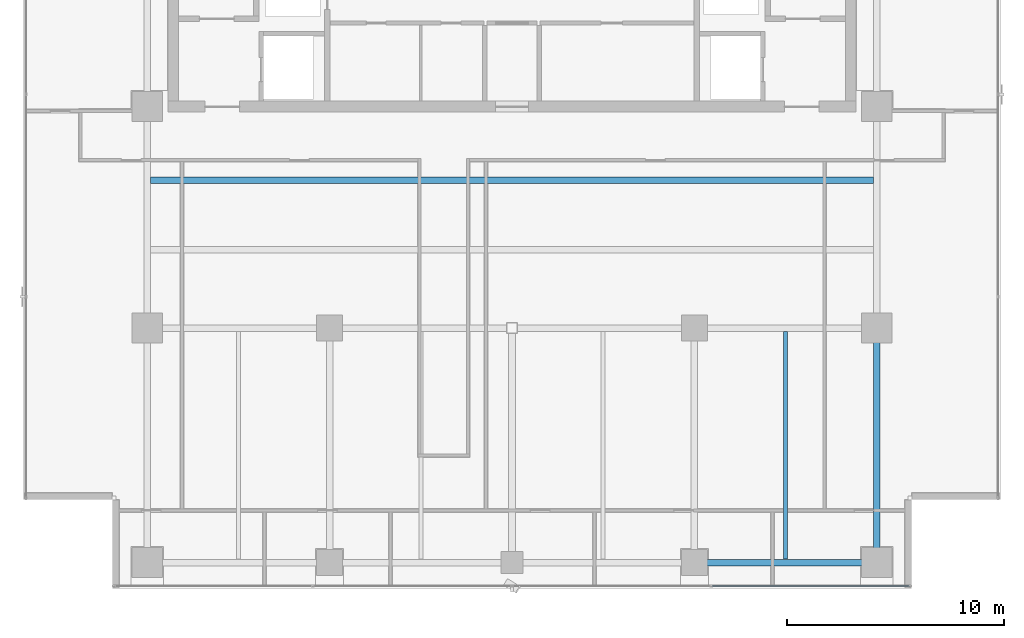
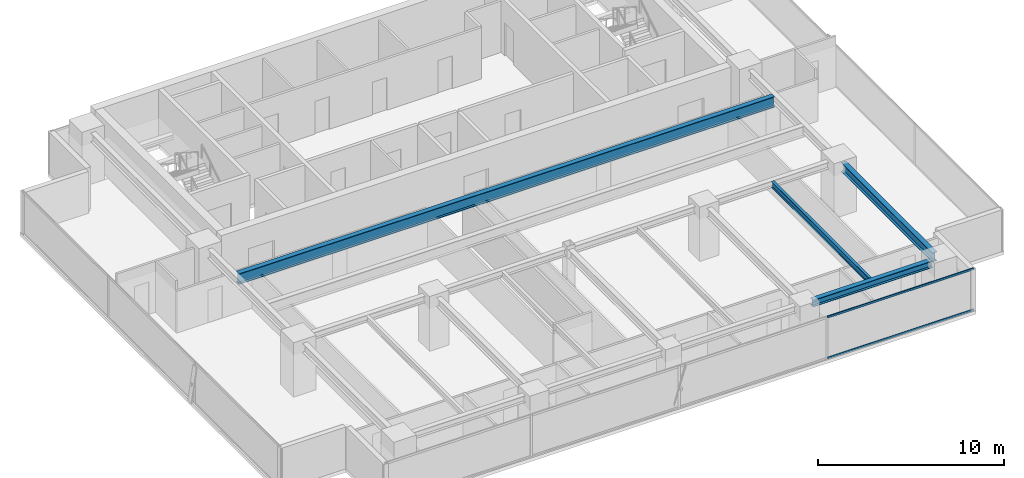
# One storey, part 10 of 25: 4 beams, 2 members, 1 element without a shape of its own.
"""IFC4 building model written with IfcOpenShell, lengths in metres."""

from ifc_helpers import new_model, si_unit, direction, frame, origin, origin_2d, place, context, subcontext, project, spatial, hollow_rectangle, i_section, extrude, source, transform, mapped, material, layer, layer_set, material_profile, profile_set, type_object, element, aggregate, save


model = new_model("IFC4")

# Units and contexts
model_context = context("Model", 3, precision=1e-05, world=origin(), true_north=direction((0.0, 1.0)))
body_context = subcontext(model_context, "Body", "Model", "MODEL_VIEW")
ifc_project = project(units=[si_unit("LENGTHUNIT", "METRE"), si_unit("AREAUNIT", "SQUARE_METRE"), si_unit("VOLUMEUNIT", "CUBIC_METRE"), si_unit("PLANEANGLEUNIT", "RADIAN"), si_unit("MASSUNIT", "GRAM", prefix="KILO")], contexts=[model_context])

# Site, building, storey
site_placement = place(None, origin())
site = spatial("IfcSite", under=ifc_project, at=site_placement, CompositionType="ELEMENT")
building_placement = place(site_placement, origin())
building = spatial("IfcBuilding", under=site, at=building_placement, Name="Sumidabori Civic Tower", CompositionType="ELEMENT")
storey_placement = place(building_placement, frame((0.0, 0.0, 232.39990234375)))
storey = spatial("IfcBuildingStorey", under=building, at=storey_placement, Name="L60", CompositionType="ELEMENT", Elevation=232.39990234375)

# Beams
ifc_material_1 = material(Name="Steel SN490", Category="steel")
ifc_material_profile_1 = material_profile(ifc_material_1, i_section(OverallWidth=0.300048828125, OverallDepth=0.60009765625, WebThickness=0.015380859375, FlangeThickness=0.030029296875, at=origin_2d()), Name="HE 600 B")
ifc_profile_set_1 = profile_set([ifc_material_profile_1], Name="Steel SN490")
beam_type_1 = type_object("IfcBeamType", Name="BM-GIRD-600", PredefinedType="BEAM", material=ifc_profile_set_1)
shared_shape_1 = source(origin(), body_context, "Body", "SweptSolid", [
    extrude(i_section(OverallWidth=0.300048828125, OverallDepth=0.60009765625, WebThickness=0.015380859375, FlangeThickness=0.030029296875, at=origin_2d()), origin(), (0.0, 0.0, 1.0), 9.840087890625),
])
beam_1_placement = place(storey_placement, frame((16.800048828125, -10.320068359375, 3.070068359375), z_axis=(0.0, 1.0, 0.0), x_axis=(-1.0, 0.0, 0.0)))
element("IfcBeam", 1, at=beam_1_placement, inside=storey, type_object=beam_type_1, Name="Primary Girder L60 GY-15", PredefinedType="BEAM", context=body_context, shape_type="MappedRepresentation", body=[
    mapped(shared_shape_1, transform((0.0, 0.0, 0.0), x_axis=(1.0, 0.0, 0.0), y_axis=(0.0, 1.0, 0.0), z_axis=(0.0, 0.0, 1.0), scale=1.0)),
])
ifc_material_profile_2 = material_profile(ifc_material_1, i_section(OverallWidth=0.300048828125, OverallDepth=0.699951171875, WebThickness=0.01708984375, FlangeThickness=0.031982421875, at=origin_2d()), Name="HE 700 B")
ifc_profile_set_2 = profile_set([ifc_material_profile_2], Name="Steel SN490")
beam_type_2 = type_object("IfcBeamType", Name="BM-GIRD-700", PredefinedType="BEAM", material=ifc_profile_set_2)
shared_shape_2 = source(origin(), body_context, "Body", "SweptSolid", [
    extrude(i_section(OverallWidth=0.300048828125, OverallDepth=0.699951171875, WebThickness=0.01708984375, FlangeThickness=0.031982421875, at=origin_2d()), origin(), (0.0, 0.0, 1.0), 33.2998046875),
])
beam_2_placement = place(storey_placement, frame((-16.64990234375, 6.800048828125, 3.02001953125), z_axis=(1.0, 0.0, 0.0), x_axis=(0.0, 1.0, 0.0)))
element("IfcBeam", 2, at=beam_2_placement, inside=storey, type_object=beam_type_2, Name="North Bay Floor Beam L60 JSTN-19", PredefinedType="BEAM", context=body_context, shape_type="MappedRepresentation", body=[
    mapped(shared_shape_2, transform((0.0, 0.0, 0.0), x_axis=(1.0, 0.0, 0.0), y_axis=(0.0, 1.0, 0.0), z_axis=(0.0, 0.0, 1.0), scale=1.0)),
])
ifc_material_profile_3 = material_profile(ifc_material_1, i_section(OverallWidth=0.300048828125, OverallDepth=0.449951171875, WebThickness=0.013916015625, FlangeThickness=0.02587890625, at=origin_2d()), Name="HE 450 B")
ifc_profile_set_3 = profile_set([ifc_material_profile_3], Name="Steel SN490")
beam_type_3 = type_object("IfcBeamType", Name="BM-GIRD-450", PredefinedType="BEAM", material=ifc_profile_set_3)
shared_shape_3 = source(origin(), body_context, "Body", "SweptSolid", [
    extrude(i_section(OverallWidth=0.300048828125, OverallDepth=0.449951171875, WebThickness=0.013916015625, FlangeThickness=0.02587890625, at=origin_2d()), origin(), (0.0, 0.0, 1.0), 7.440185546875),
])
beam_3_placement = place(storey_placement, frame((8.8798828125, -10.800048828125, 3.14501953125), z_axis=(1.0, 0.0, 0.0), x_axis=(0.0, 1.0, 0.0)))
element("IfcBeam", 3, at=beam_3_placement, inside=storey, type_object=beam_type_3, Name="Primary Girder L60 GX-04", PredefinedType="BEAM", context=body_context, shape_type="MappedRepresentation", body=[
    mapped(shared_shape_3, transform((0.0, 0.0, 0.0), x_axis=(1.0, 0.0, 0.0), y_axis=(0.0, 1.0, 0.0), z_axis=(0.0, 0.0, 1.0), scale=1.0)),
])
ifc_material_profile_4 = material_profile(ifc_material_1, i_section(OverallWidth=0.179931640625, OverallDepth=0.39990234375, WebThickness=0.008544921875, FlangeThickness=0.013427734375, at=origin_2d()), Name="IPE 400")
ifc_profile_set_4 = profile_set([ifc_material_profile_4], Name="Steel SN490")
beam_type_4 = type_object("IfcBeamType", Name="BM-JST-400", PredefinedType="JOIST", material=ifc_profile_set_4)
shared_shape_4 = source(origin(), body_context, "Body", "SweptSolid", [
    extrude(i_section(OverallWidth=0.179931640625, OverallDepth=0.39990234375, WebThickness=0.008544921875, FlangeThickness=0.013427734375, at=origin_2d()), origin(), (0.0, 0.0, 1.0), 10.5),
])
beam_4_placement = place(storey_placement, frame((12.60009765625, -10.64990234375, 3.170166015625), z_axis=(0.0, 1.0, 0.0), x_axis=(-1.0, 0.0, 0.0)))
element("IfcBeam", 4, at=beam_4_placement, inside=storey, type_object=beam_type_4, Name="Upper Lens N-S Floor Joist L60 JSTV-23", PredefinedType="JOIST", context=body_context, shape_type="MappedRepresentation", body=[
    mapped(shared_shape_4, transform((0.0, 0.0, 0.0), x_axis=(1.0, 0.0, 0.0), y_axis=(0.0, 1.0, 0.0), z_axis=(0.0, 0.0, 1.0), scale=1.0)),
])

# Curtain wall, members
ifc_material_2 = material(Name="Anodised Bronze Aluminium AW-6063-T6", Category="aluminium")
ifc_layer = layer(ifc_material_2, 0.179931640625, Name="Anodised Bronze Aluminium AW-6063-T6")
ifc_layer_set = layer_set([ifc_layer], Name="Anodised Bronze Aluminium AW-6063-T6")
curtain_wall_type = type_object("IfcCurtainWallType", Name="CW-SYS-5", PredefinedType="NOTDEFINED", material=ifc_layer_set)
curtain_wall_placement = place(storey_placement, origin())
curtain_wall = element("IfcCurtainWall", 5, at=curtain_wall_placement, inside=storey, type_object=curtain_wall_type, Name="Curtain Wall CW:L60:R01", PredefinedType="NOTDEFINED")
ifc_material_profile_5 = material_profile(ifc_material_2, hollow_rectangle(XDim=0.06005859375, YDim=0.1298828125, WallThickness=0.0048828125, at=origin_2d()), Name="ALU TRANSOM 130x60")
ifc_profile_set_5 = profile_set([ifc_material_profile_5], Name="Anodised Bronze Aluminium AW-6063-T6")
member_type = type_object("IfcMemberType", Name="CW-TRN-130", PredefinedType="USERDEFINED", material=ifc_profile_set_5)
shared_shape_5 = source(origin(), body_context, "Body", "SweptSolid", [
    extrude(hollow_rectangle(XDim=0.06005859375, YDim=0.1298828125, WallThickness=0.0048828125, at=origin_2d()), origin(), (0.0, 0.0, 1.0), 9.094970703125),
])
member_1_placement = place(storey_placement, frame((9.215087890625, -11.8798828125, 0.030029296875), z_axis=(1.0, 0.0, 0.0), x_axis=(0.0, 1.0, 0.0)))
member_1 = element("IfcMember", 6, at=member_1_placement, type_object=member_type, Name="CW-5 transom 4.1", ObjectType="TRANSOM", PredefinedType="USERDEFINED", context=body_context, shape_type="MappedRepresentation", body=[
    mapped(shared_shape_5, transform((0.0, 0.0, 0.0), x_axis=(1.0, 0.0, 0.0), y_axis=(0.0, 1.0, 0.0), z_axis=(0.0, 0.0, 1.0), scale=1.0)),
])
member_2_placement = place(storey_placement, frame((9.215087890625, -11.8798828125, 2.72021484375), z_axis=(1.0, 0.0, 0.0), x_axis=(0.0, 1.0, 0.0)))
member_2 = element("IfcMember", 7, at=member_2_placement, type_object=member_type, Name="CW-5 transom 4.2", ObjectType="TRANSOM", PredefinedType="USERDEFINED", context=body_context, shape_type="MappedRepresentation", body=[
    mapped(shared_shape_5, transform((0.0, 0.0, 0.0), x_axis=(1.0, 0.0, 0.0), y_axis=(0.0, 1.0, 0.0), z_axis=(0.0, 0.0, 1.0), scale=1.0)),
])
aggregate(curtain_wall, [member_1, member_2])

save(model, "model.ifc")
